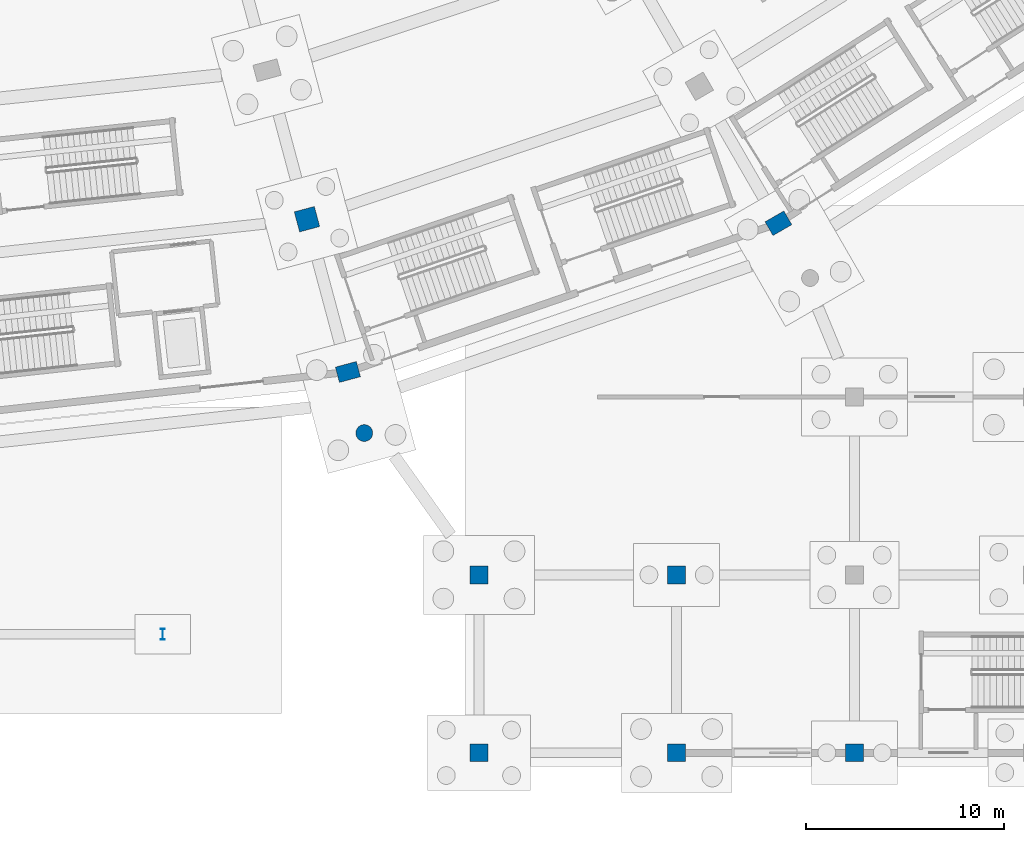
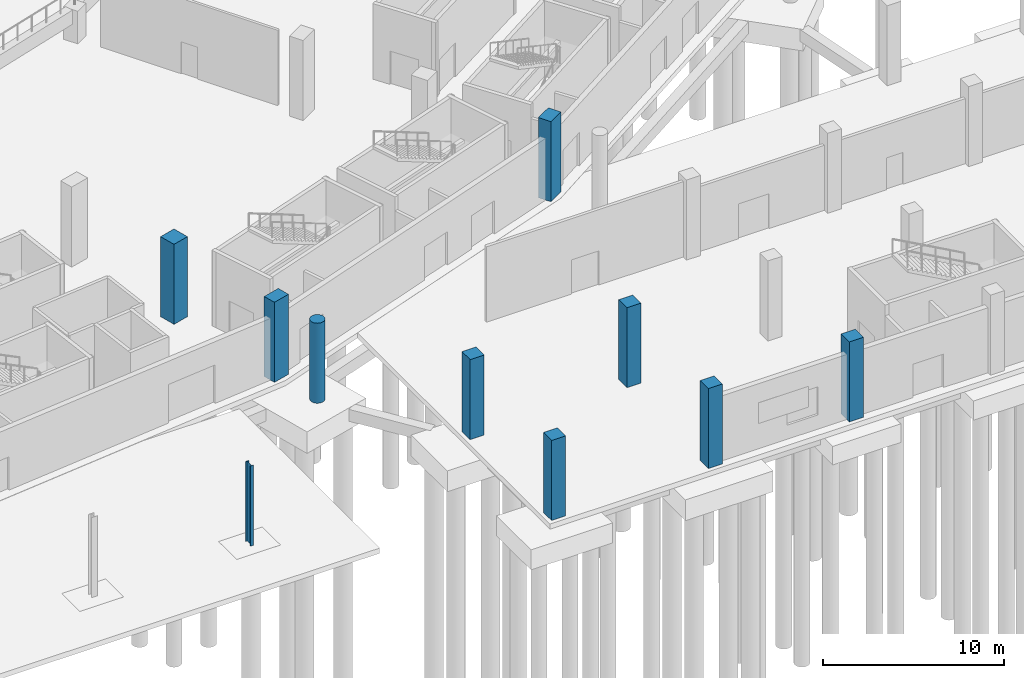
# One storey, part 19 of 103: 10 columns.
"""IFC4 building model written with IfcOpenShell, lengths in metres."""

from ifc_helpers import new_model, si_unit, direction, frame, origin, origin_2d, place, context, subcontext, project, spatial, rectangle, circle, i_section, extrude, material, material_profile, profile_set, type_object, element, save


model = new_model("IFC4")

# Units and contexts
model_context = context("Model", 3, precision=1e-05, world=origin(), true_north=direction((0.0, 1.0)))
body_context = subcontext(model_context, "Body", "Model", "MODEL_VIEW")
ifc_project = project(units=[si_unit("LENGTHUNIT", "METRE"), si_unit("AREAUNIT", "SQUARE_METRE"), si_unit("VOLUMEUNIT", "CUBIC_METRE"), si_unit("PLANEANGLEUNIT", "RADIAN"), si_unit("MASSUNIT", "GRAM", prefix="KILO")], contexts=[model_context])

# Site, building, storey
site_placement = place(None, origin())
site = spatial("IfcSite", under=ifc_project, at=site_placement, CompositionType="ELEMENT")
building_placement = place(site_placement, origin())
building = spatial("IfcBuilding", under=site, at=building_placement, Name="Zevraka Park Crest Stadium", CompositionType="ELEMENT")
storey_placement = place(building_placement, origin())
storey = spatial("IfcBuildingStorey", under=building, at=storey_placement, Name="L00", CompositionType="ELEMENT", Elevation=0.0)

# Columns
ifc_material_1 = material(Name="Concrete C40/50", Category="concrete")
ifc_material_profile_1 = material_profile(ifc_material_1, rectangle(XDim=0.800048828125, YDim=1.10009765625, at=origin_2d()), Name="RC 1100x800")
ifc_profile_set_1 = profile_set([ifc_material_profile_1], Name="Concrete C40/50")
column_type_1 = type_object("IfcColumnType", Name="C02", PredefinedType="COLUMN", material=ifc_profile_set_1)
for number, where, z_axis, x_axis, name in (
    (1, (135.37109375, 19.26611328125, 0.0), (0.0, 0.0, 1.0), (-0.258819045103, 0.965925826289, 0.0), "Perimeter Ring Column C02 L00-D-19"),
    (2, (157.14990234375, 26.7880859375, 0.0), (0.0, 0.0, 1.0), (-0.5, 0.866025403784, 0.0), "Perimeter Ring Column C02 L00-D-20"),
):
    element("IfcColumn", number, at=place(storey_placement, frame(where, z_axis=z_axis, x_axis=x_axis)), inside=storey, type_object=column_type_1, Name=name, PredefinedType="COLUMN", context=body_context, shape_type="SweptSolid", body=[
        extrude(rectangle(XDim=0.800048828125, YDim=1.10009765625, at=origin_2d()), origin(), (0.0, 0.0, 1.0), 5.39990234375),
    ])
ifc_material_2 = material(Name="Concrete C40/50", Category="concrete")
ifc_material_profile_2 = material_profile(ifc_material_2, rectangle(XDim=1.050048828125, YDim=1.050048828125, at=origin_2d()), Name="RC 1050x1050")
ifc_profile_set_2 = profile_set([ifc_material_profile_2], Name="Concrete C40/50")
column_type_2 = type_object("IfcColumnType", Name="C03", PredefinedType="COLUMN", material=ifc_profile_set_2)
column_1_placement = place(storey_placement, frame((133.301025390625, 26.992919921875, 0.0), z_axis=(0.0, 0.0, 1.0), x_axis=(-0.258819045103, 0.965925826289, 0.0)))
element("IfcColumn", 3, at=column_1_placement, inside=storey, type_object=column_type_2, Name="Concourse Mid Column C03 L00-C-19", PredefinedType="COLUMN", context=body_context, shape_type="SweptSolid", body=[
    extrude(rectangle(XDim=1.050048828125, YDim=1.050048828125, at=origin_2d()), origin(), (0.0, 0.0, 1.0), 5.39990234375),
])
ifc_material_3 = material(Name="Concrete C40/50", Category="concrete")
ifc_material_profile_3 = material_profile(ifc_material_3, rectangle(XDim=0.89990234375, YDim=0.89990234375, at=origin_2d()), Name="RC 900x900")
ifc_profile_set_3 = profile_set([ifc_material_profile_3], Name="Concrete C40/50")
column_type_3 = type_object("IfcColumnType", Name="C04", PredefinedType="COLUMN", material=ifc_profile_set_3)
for number, where, z_axis, x_axis, name in (
    (4, (142.0, 0.0, 0.0), (0.0, 0.0, 1.0), (1.0, 0.0, 0.0), "Wing Column C04 L00-16/A"),
    (5, (142.0, 9.0, 0.0), (0.0, 0.0, 1.0), (1.0, 0.0, 0.0), "Wing Column C04 L00-16/B"),
    (6, (152.0, 0.0, 0.0), (0.0, 0.0, 1.0), (1.0, 0.0, 0.0), "Wing Column C04 L00-17/A"),
    (7, (152.0, 9.0, 0.0), (0.0, 0.0, 1.0), (1.0, 0.0, 0.0), "Wing Column C04 L00-17/B"),
    (8, (161.0, 0.0, 0.0), (0.0, 0.0, 1.0), (1.0, 0.0, 0.0), "Wing Column C04 L00-18/A"),
):
    element("IfcColumn", number, at=place(storey_placement, frame(where, z_axis=z_axis, x_axis=x_axis)), inside=storey, type_object=column_type_3, Name=name, PredefinedType="COLUMN", context=body_context, shape_type="SweptSolid", body=[
        extrude(rectangle(XDim=0.89990234375, YDim=0.89990234375, at=origin_2d()), origin(), (0.0, 0.0, 1.0), 5.39990234375),
    ])
ifc_material_4 = material(Name="Concrete C40/50", Category="concrete")
ifc_material_profile_4 = material_profile(ifc_material_4, circle(Radius=0.425048828125, at=origin_2d()), Name="RC D850")
ifc_profile_set_4 = profile_set([ifc_material_profile_4], Name="Concrete C40/50")
column_type_4 = type_object("IfcColumnType", Name="C06", PredefinedType="COLUMN", material=ifc_profile_set_4)
column_2_placement = place(storey_placement, frame((136.199951171875, 16.175048828125, 0.0), z_axis=(0.0, 0.0, 1.0), x_axis=(1.0, 0.0, 0.0)))
element("IfcColumn", 9, at=column_2_placement, inside=storey, type_object=column_type_4, Name="Arcade Cumba Column C06 L00-E-19", PredefinedType="COLUMN", context=body_context, shape_type="SweptSolid", body=[
    extrude(circle(Radius=0.425048828125, at=origin_2d()), origin(), (0.0, 0.0, 1.0), 5.39990234375),
])
ifc_material_5 = material(Name="Steel S355", Category="steel")
ifc_material_profile_5 = material_profile(ifc_material_5, i_section(OverallWidth=0.2109375, OverallDepth=0.5390625, WebThickness=0.01171875, FlangeThickness=0.018798828125, at=origin_2d()), Name="UKB 533x210x109")
ifc_profile_set_5 = profile_set([ifc_material_profile_5], Name="Steel S355")
column_type_5 = type_object("IfcColumnType", Name="C13", PredefinedType="COLUMN", material=ifc_profile_set_5)
column_3_placement = place(storey_placement, frame((126.0, 6.0, 0.0), z_axis=(0.0, 0.0, 1.0), x_axis=(1.0, 0.0, 0.0)))
element("IfcColumn", 10, at=column_3_placement, inside=storey, type_object=column_type_5, Name="Colonnade Post C13 PAD-S4", PredefinedType="COLUMN", context=body_context, shape_type="SweptSolid", body=[
    extrude(i_section(OverallWidth=0.2109375, OverallDepth=0.5390625, WebThickness=0.01171875, FlangeThickness=0.018798828125, at=origin_2d()), origin(), (0.0, 0.0, 1.0), 5.39990234375),
])

save(model, "model.ifc")
